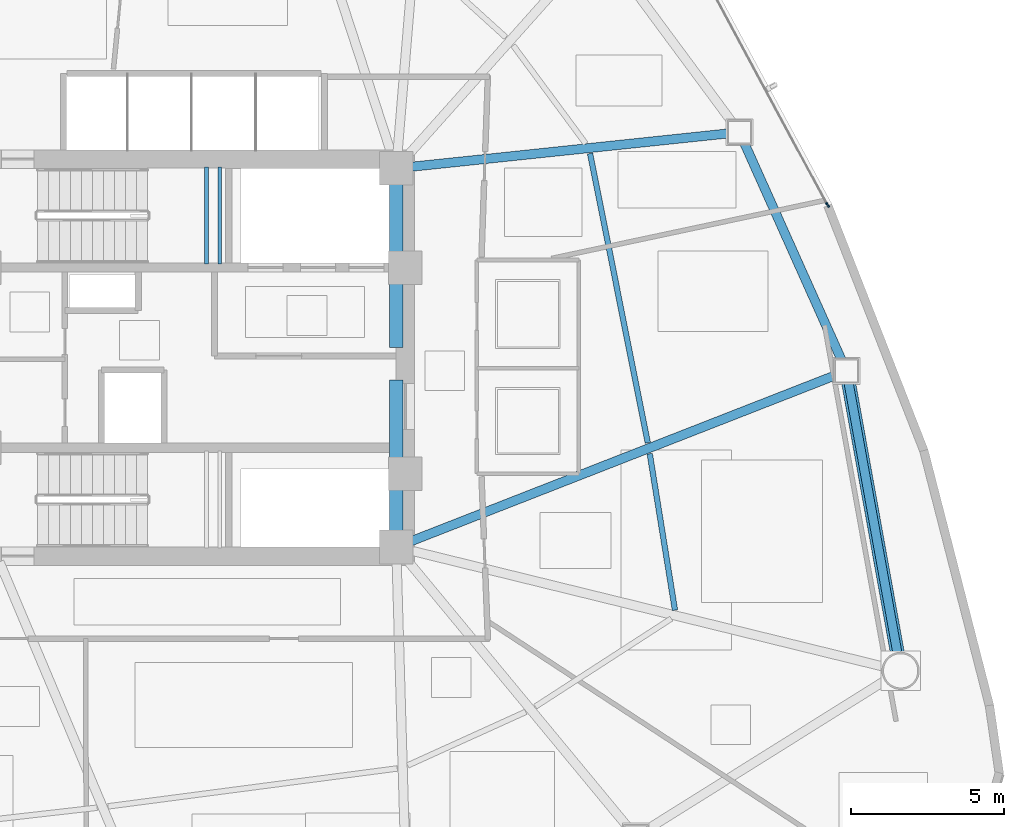
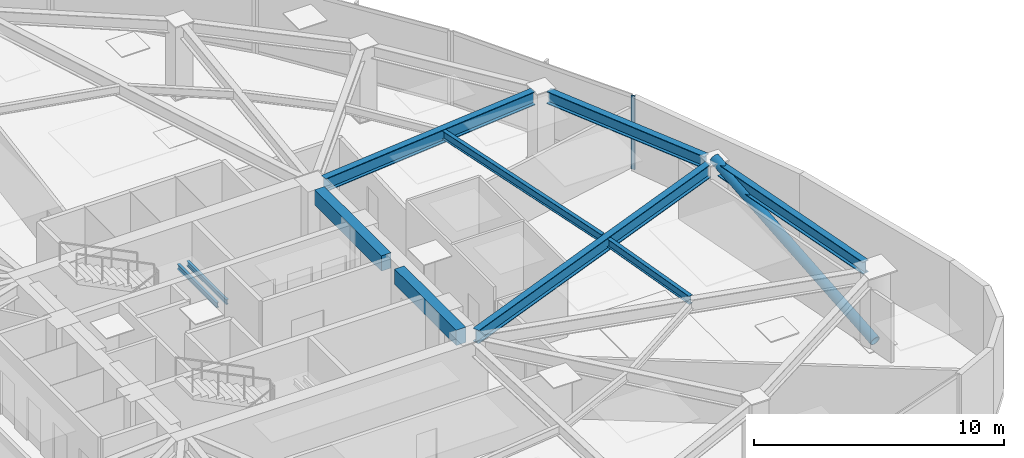
# One storey, part 6 of 16: 10 beams, 2 members, 1 element without a shape of its own.
"""IFC4 building model written with IfcOpenShell, lengths in metres."""

from ifc_helpers import new_model, si_unit, direction, frame, origin, origin_2d, place, context, subcontext, project, spatial, rectangle, hollow_rectangle, hollow_circle, i_section, extrude, source, transform, mapped, material, layer, layer_set, material_profile, profile_set, type_object, type_shapes, element, aggregate, save


model = new_model("IFC4")

# Units and contexts
model_context = context("Model", 3, precision=1e-05, world=origin(), true_north=direction((0.0, 1.0)))
body_context = subcontext(model_context, "Body", "Model", "MODEL_VIEW")
ifc_project = project(units=[si_unit("LENGTHUNIT", "METRE"), si_unit("AREAUNIT", "SQUARE_METRE"), si_unit("VOLUMEUNIT", "CUBIC_METRE"), si_unit("PLANEANGLEUNIT", "RADIAN"), si_unit("MASSUNIT", "GRAM", prefix="KILO")], contexts=[model_context])

# Site, building, storey
site_placement = place(None, origin())
site = spatial("IfcSite", under=ifc_project, at=site_placement, CompositionType="ELEMENT")
building_placement = place(site_placement, origin())
building = spatial("IfcBuilding", under=site, at=building_placement, Name="Tavelor Broadcast Tower", CompositionType="ELEMENT")
storey_placement = place(building_placement, frame((0.0, 0.0, 31.5)))
storey = spatial("IfcBuildingStorey", under=building, at=storey_placement, Name="L06", CompositionType="ELEMENT", Elevation=31.5)

# Beams
ifc_material_1 = material(Name="Concrete C40/50", Category="concrete")
ifc_material_profile_1 = material_profile(ifc_material_1, rectangle(XDim=0.449951171875, YDim=0.75, at=origin_2d()), Name="RC 450x750")
ifc_profile_set_1 = profile_set([ifc_material_profile_1], Name="Concrete C40/50")
beam_type_1 = type_object("IfcBeamType", Name="Basement Core Trim Beam 450x750", PredefinedType="BEAM", material=ifc_profile_set_1)
beam_1_placement = place(storey_placement, frame((56.60009765625, 45.327880859375, 3.22509765625), z_axis=(0.0, 1.0, 0.0), x_axis=(-1.0, 0.0, 0.0)))
element("IfcBeam", 1, at=beam_1_placement, inside=storey, type_object=beam_type_1, Name="L06 Core East-N Tie Girder", PredefinedType="BEAM", context=body_context, shape_type="SweptSolid", body=[
    extrude(rectangle(XDim=0.449951171875, YDim=0.75, at=origin_2d()), origin(), (0.0, 0.0, 1.0), 5.34423828125),
])
beam_2_placement = place(storey_placement, frame((56.60009765625, 39.327880859375, 3.22509765625), z_axis=(0.0, 1.0, 0.0), x_axis=(-1.0, 0.0, 0.0)))
element("IfcBeam", 2, at=beam_2_placement, inside=storey, type_object=beam_type_1, Name="L06 Core East-S Tie Girder", PredefinedType="BEAM", context=body_context, shape_type="SweptSolid", body=[
    extrude(rectangle(XDim=0.449951171875, YDim=0.75, at=origin_2d()), origin(), (0.0, 0.0, 1.0), 4.944091796875),
])
ifc_material_2 = material(Name="Steel S355", Category="steel")
ifc_material_profile_2 = material_profile(ifc_material_2, i_section(OverallWidth=0.179931640625, OverallDepth=0.39990234375, WebThickness=0.008544921875, FlangeThickness=0.013427734375, at=origin_2d()), Name="IPE 400")
ifc_profile_set_2 = profile_set([ifc_material_profile_2], Name="Steel S355")
beam_type_2 = type_object("IfcBeamType", Name="Composite Floor Joist T1 IPE 400", PredefinedType="JOIST", material=ifc_profile_set_2)
beam_3_placement = place(storey_placement, frame((65.728515625, 36.72998046875, 3.39990234375), z_axis=(-0.159264963379, 0.987235874267, 0.0), x_axis=(-0.987235874267, -0.159264963379, 0.0)))
element("IfcBeam", 3, at=beam_3_placement, inside=storey, type_object=beam_type_2, Name="L06 Secondary Composite Floor Joist 13", PredefinedType="JOIST", context=body_context, shape_type="SweptSolid", body=[
    extrude(i_section(OverallWidth=0.179931640625, OverallDepth=0.39990234375, WebThickness=0.008544921875, FlangeThickness=0.013427734375, at=origin_2d()), origin(), (0.0, 0.0, 1.0), 5.19189453125),
])
beam_4_placement = place(storey_placement, frame((64.83740234375, 42.2119140625, 3.39990234375), z_axis=(-0.195615567929, 0.980680656271, 0.0), x_axis=(-0.980680656271, -0.195615567929, 0.0)))
element("IfcBeam", 4, at=beam_4_placement, inside=storey, type_object=beam_type_2, Name="L06 Secondary Composite Floor Joist 14", PredefinedType="JOIST", context=body_context, shape_type="SweptSolid", body=[
    extrude(i_section(OverallWidth=0.179931640625, OverallDepth=0.39990234375, WebThickness=0.008544921875, FlangeThickness=0.013427734375, at=origin_2d()), origin(), (0.0, 0.0, 1.0), 9.661376953125),
])
ifc_material_profile_3 = material_profile(ifc_material_2, i_section(OverallWidth=0.300048828125, OverallDepth=0.60009765625, WebThickness=0.015380859375, FlangeThickness=0.030029296875, at=origin_2d()), Name="HEB 600")
ifc_profile_set_3 = profile_set([ifc_material_profile_3], Name="Steel S355")
beam_type_3 = type_object("IfcBeamType", Name="Perimeter Spandrel Beam T1 HEB 600", PredefinedType="SPANDREL", material=ifc_profile_set_3)
beam_5_placement = place(storey_placement, frame((73.013916015625, 35.31982421875, 3.300048828125), z_axis=(-0.177745578839, 0.984076475282, 0.0), x_axis=(-0.984076475282, -0.177745578839, 0.0)))
element("IfcBeam", 5, at=beam_5_placement, inside=storey, type_object=beam_type_3, Name="L06 Framed-Tube Ring Spandrel 13", PredefinedType="SPANDREL", context=body_context, shape_type="SweptSolid", body=[
    extrude(i_section(OverallWidth=0.300048828125, OverallDepth=0.60009765625, WebThickness=0.015380859375, FlangeThickness=0.030029296875, at=origin_2d()), origin(), (0.0, 0.0, 1.0), 9.010498046875),
])
beam_6_placement = place(storey_placement, frame((71.18701171875, 44.9150390625, 3.300048828125), z_axis=(-0.40892197507, 0.912569349861, 0.0), x_axis=(-0.912569349861, -0.40892197507, 0.0)))
element("IfcBeam", 6, at=beam_6_placement, inside=storey, type_object=beam_type_3, Name="L06 Framed-Tube Ring Spandrel 14", PredefinedType="SPANDREL", context=body_context, shape_type="SweptSolid", body=[
    extrude(i_section(OverallWidth=0.300048828125, OverallDepth=0.60009765625, WebThickness=0.015380859375, FlangeThickness=0.030029296875, at=origin_2d()), origin(), (0.0, 0.0, 1.0), 7.799072265625),
])

# Member
ifc_material_profile_4 = material_profile(ifc_material_2, hollow_circle(Radius=0.228515625, WallThickness=0.02001953125, at=origin_2d()), Name="CHS 457x20")
ifc_profile_set_4 = profile_set([ifc_material_profile_4], Name="Steel S355")
member_type_1 = type_object("IfcMemberType", Name="Perimeter Tube Brace T1 CHS 457x20", PredefinedType="BRACE", material=ifc_profile_set_4)
member_1_placement = place(storey_placement, frame((73.117919921875, 34.743896484375, 0.0), z_axis=(-0.167205980675, 0.925685078259, 0.339336552578), x_axis=(-0.984075144607, -0.177752945874, 0.0)))
element("IfcMember", 7, at=member_1_placement, inside=storey, type_object=member_type_1, Name="L06 Corner Tube Diagonal Brace 3", PredefinedType="BRACE", context=body_context, shape_type="SweptSolid", body=[
    extrude(hollow_circle(Radius=0.228515625, WallThickness=0.02001953125, at=origin_2d()), origin(), (0.0, 0.0, 1.0), 10.609130859375),
])

# Beams
ifc_material_profile_5 = material_profile(ifc_material_2, i_section(OverallWidth=0.300048828125, OverallDepth=0.64990234375, WebThickness=0.01611328125, FlangeThickness=0.031005859375, at=origin_2d()), Name="HEB 650")
ifc_profile_set_5 = profile_set([ifc_material_profile_5], Name="Steel S355")
beam_type_4 = type_object("IfcBeamType", Name="Radial Floor Girder T1 HEB 650", PredefinedType="BEAM", material=ifc_profile_set_5)
beam_7_placement = place(storey_placement, frame((57.091796875, 38.9921875, 3.27490234375), z_axis=(0.931344390249, 0.364139570429, 0.0), x_axis=(-0.364139570429, 0.931344390249, 0.0)))
element("IfcBeam", 8, at=beam_7_placement, inside=storey, type_object=beam_type_4, Name="L06 Radial Primary Floor Girder 14", PredefinedType="BEAM", context=body_context, shape_type="SweptSolid", body=[
    extrude(i_section(OverallWidth=0.300048828125, OverallDepth=0.64990234375, WebThickness=0.01611328125, FlangeThickness=0.031005859375, at=origin_2d()), origin(), (0.0, 0.0, 1.0), 14.9189453125),
])
beam_8_placement = place(storey_placement, frame((57.125, 51.255126953125, 3.27490234375), z_axis=(0.994511502262, 0.104627299822, 0.0), x_axis=(-0.104627299822, 0.994511502262, 0.0)))
element("IfcBeam", 9, at=beam_8_placement, inside=storey, type_object=beam_type_4, Name="L06 Radial Primary Floor Girder 15", PredefinedType="BEAM", context=body_context, shape_type="SweptSolid", body=[
    extrude(i_section(OverallWidth=0.300048828125, OverallDepth=0.64990234375, WebThickness=0.01611328125, FlangeThickness=0.031005859375, at=origin_2d()), origin(), (0.0, 0.0, 1.0), 10.390869140625),
])
ifc_material_profile_6 = material_profile(ifc_material_2, i_section(OverallWidth=0.1201171875, OverallDepth=0.239990234375, WebThickness=0.006103515625, FlangeThickness=0.009765625, at=origin_2d()), Name="IPE 240")
ifc_profile_set_6 = profile_set([ifc_material_profile_6], Name="Steel S355")
beam_type_5 = type_object("IfcBeamType", Name="Stairwell Landing Support Trimmer Beam IPE240", PredefinedType="BEAM", material=ifc_profile_set_6)
for number, where, z_axis, x_axis, name in (
    (10, (50.385009765625, 48.06005859375, 1.635009765625), (0.0, 1.0, 0.0), (-1.0, 0.0, 0.0), "L06 Stair Landing Support Beam 37"),
    (11, (50.824951171875, 48.06005859375, 1.635009765625), (0.0, 1.0, 0.0), (-1.0, 0.0, 0.0), "L06 Stair Landing Support Beam 38"),
):
    element("IfcBeam", number, at=place(storey_placement, frame(where, z_axis=z_axis, x_axis=x_axis)), inside=storey, type_object=beam_type_5, Name=name, PredefinedType="BEAM", context=body_context, shape_type="SweptSolid", body=[
        extrude(i_section(OverallWidth=0.1201171875, OverallDepth=0.239990234375, WebThickness=0.006103515625, FlangeThickness=0.009765625, at=origin_2d()), origin(), (0.0, 0.0, 1.0), 3.179931640625),
    ])

# Curtain wall, member
ifc_material_3 = material(Name="Architectural Anodized Aluminium", Category="aluminium")
ifc_layer = layer(ifc_material_3, 0.179931640625)
ifc_layer_set = layer_set([ifc_layer], Name="Architectural Anodized Aluminium")
curtain_wall_type = type_object("IfcCurtainWallType", Name="Tower Low-Zone Unitised Curtain Wall CW02", PredefinedType="NOTDEFINED", material=ifc_layer_set)
curtain_wall_placement = place(storey_placement, origin())
curtain_wall = element("IfcCurtainWall", 12, at=curtain_wall_placement, inside=storey, type_object=curtain_wall_type, Name="L06 Curtain Wall CW02 Run 33", PredefinedType="NOTDEFINED")
ifc_material_profile_7 = material_profile(ifc_material_3, hollow_rectangle(XDim=0.06494140625, YDim=0.179931640625, WallThickness=0.02197265625, at=origin_2d()), Name="RHS 65x180x22")
ifc_profile_set_7 = profile_set([ifc_material_profile_7], Name="Architectural Anodized Aluminium")
member_type_2 = type_object("IfcMemberType", Name="CW02 Extruded Aluminium Mullion 65x180", PredefinedType="MULLION", material=ifc_profile_set_7)
shared_shape = source(origin(), body_context, "Body", "SweptSolid", [
    extrude(hollow_rectangle(XDim=0.06494140625, YDim=0.179931640625, WallThickness=0.02197265625, at=origin_2d()), origin(), (0.0, 0.0, 1.0), 3.60009765625),
])
type_shapes(member_type_2, [shared_shape])
member_2_placement = place(storey_placement, frame((70.726806640625, 49.999755859375, 0.0), z_axis=(0.0, 0.0, 1.0), x_axis=(-0.880273207377, -0.474467154157, 0.0)))
member_2 = element("IfcMember", 13, at=member_2_placement, type_object=member_type_2, Name="CW02 mullion 1", PredefinedType="MULLION", context=body_context, shape_type="MappedRepresentation", body=[
    mapped(shared_shape, transform((0.0, 0.0, 0.0), scale=1.0)),
])
aggregate(curtain_wall, [member_2])

save(model, "model.ifc")
